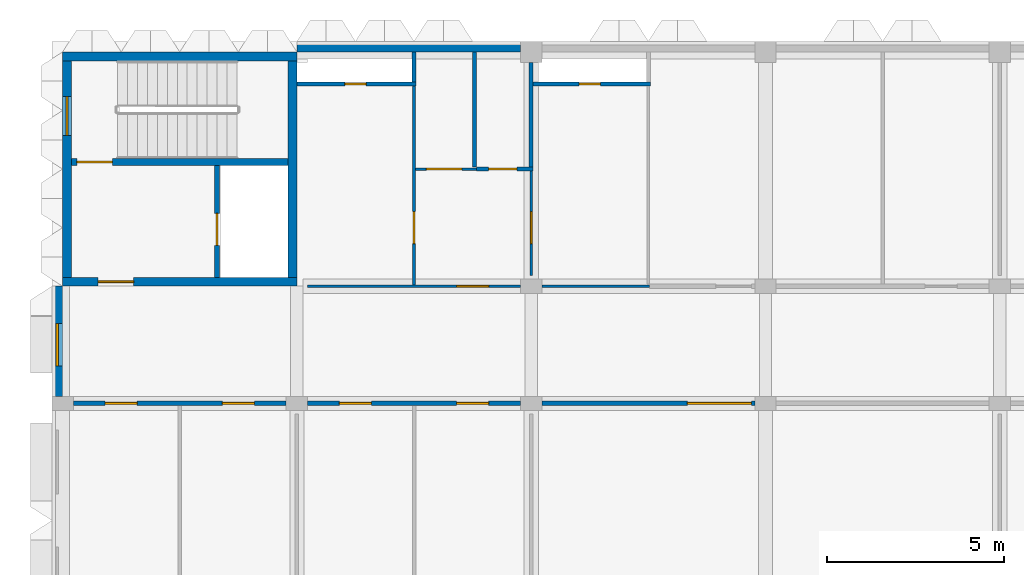
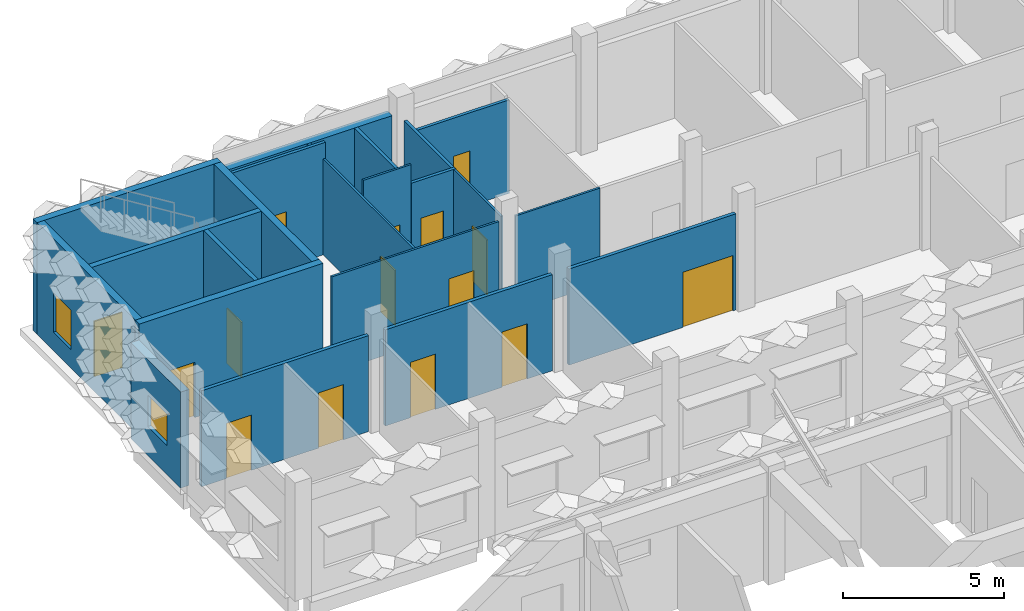
# One storey, part 51 of 102: 22 walls, 15 doors, 2 windows, 17 openings.
"""IFC4 building model written with IfcOpenShell, lengths in metres."""

from ifc_helpers import new_model, si_unit, direction, frame, frame_2d, origin, place, context, subcontext, project, spatial, rectangle, extrude, material, layer, layer_set, type_object, element, fill, save


model = new_model("IFC4")

# Units and contexts
model_context = context("Model", 3, precision=1e-05, world=origin(), true_north=direction((0.0, 1.0)))
body_context = subcontext(model_context, "Body", "Model", "MODEL_VIEW")
ifc_project = project(units=[si_unit("LENGTHUNIT", "METRE"), si_unit("AREAUNIT", "SQUARE_METRE"), si_unit("VOLUMEUNIT", "CUBIC_METRE"), si_unit("PLANEANGLEUNIT", "RADIAN"), si_unit("MASSUNIT", "GRAM", prefix="KILO")], contexts=[model_context])

# Site, building, storey
site_placement = place(None, origin())
site = spatial("IfcSite", under=ifc_project, at=site_placement, CompositionType="ELEMENT")
building_placement = place(site_placement, origin())
building = spatial("IfcBuilding", under=site, at=building_placement, Name="Lantern Court Research Institute", CompositionType="ELEMENT")
storey_placement = place(building_placement, frame((0.0, 0.0, 9.89990234375)))
storey = spatial("IfcBuildingStorey", under=building, at=storey_placement, Name="L02", CompositionType="ELEMENT", Elevation=9.89990234375)

# Wall, opening, window
ifc_material_1 = material(Name="Concrete C30/37", Category="concrete")
ifc_layer_1 = layer(ifc_material_1, 0.300048828125)
ifc_layer_set_1 = layer_set([ifc_layer_1], Name="Concrete C30/37")
wall_type_1 = type_object("IfcWallType", Name="Insulated concrete infill wall 300", PredefinedType="STANDARD", material=ifc_layer_set_1)
wall_1_placement = place(storey_placement, frame((-0.14990234375, 89.300048828125, 0.0), z_axis=(0.0, 0.0, 1.0), x_axis=(0.0, 1.0, 0.0)))
wall_1 = element("IfcWall", 1, at=wall_1_placement, inside=storey, type_object=wall_type_1, Name="Exterior wall EW167", PredefinedType="STANDARD", context=body_context, shape_type="SweptSolid", body=[
    extrude(rectangle(XDim=3.099853515625, YDim=0.300048828125, at=frame_2d((1.5498046875, 0.0))), origin(), (0.0, 0.0, 1.0), 3.650146484375),
])
opening_1_placement = place(wall_1_placement, frame((0.85009765625, 0.0, 1.10009765625)))
opening_1 = element("IfcOpeningElement", 2, at=opening_1_placement, cuts=wall_1, Name="Opening W05", PredefinedType="OPENING", context=body_context, shape_type="SweptSolid", body=[
    extrude(rectangle(XDim=1.199951171875, YDim=1.199951171875, at=frame_2d((0.60009765625, 0.60009765625))), frame((0.0, 0.159912109375, 0.0), z_axis=(0.0, -1.0, 0.0), x_axis=(1.0, 0.0, 0.0)), (0.0, 0.0, 1.0), 0.320068359375),
])
ifc_material_2 = material(Name="Aluminium frame with laminated low-emissivity glazing", Category="aluminium")
window_type_1 = type_object("IfcWindowType", Name="Corridor end window 1200 x 1200", PartitioningType="SINGLE_PANEL", PredefinedType="WINDOW", material=ifc_material_2)
window_1_placement = place(opening_1_placement, origin())
window_1 = element("IfcWindow", 3, at=window_1_placement, inside=storey, type_object=window_type_1, Name="Window W05 V6W L02", OverallHeight=1.199951171875, OverallWidth=1.199951171875, PartitioningType="SINGLE_PANEL", PredefinedType="WINDOW", context=body_context, shape_type="SweptSolid", body=[
    extrude(rectangle(XDim=1.199951171875, YDim=1.199951171875, at=frame_2d((0.60009765625, 0.60009765625))), frame((0.0, 0.030029296875, 0.0), z_axis=(0.0, -1.0, 0.0), x_axis=(1.0, 0.0, 0.0)), (0.0, 0.0, 1.0), 0.06005859375),
])
fill(opening_1, window_1)

# Wall
ifc_material_3 = material(Name="Concrete C30/37", Category="concrete")
ifc_layer_2 = layer(ifc_material_3, 0.300048828125)
ifc_layer_set_2 = layer_set([ifc_layer_2], Name="Concrete C30/37")
wall_type_2 = type_object("IfcWallType", Name="Party wall 300 concrete EI 120", PredefinedType="STANDARD", material=ifc_layer_set_2)
wall_2_placement = place(storey_placement, frame((6.60009765625, 99.14990234375, 0.0), z_axis=(0.0, 0.0, 1.0), x_axis=(1.0, 0.0, 0.0)))
element("IfcWall", 4, at=wall_2_placement, inside=storey, type_object=wall_type_2, Name="Exterior wall EW146", PredefinedType="STANDARD", context=body_context, shape_type="SweptSolid", body=[
    extrude(rectangle(XDim=6.2998046875, YDim=0.300048828125, at=frame_2d((3.14990234375, 0.0))), origin(), (0.0, 0.0, 1.0), 3.650146484375),
])

# Wall, openings, doors
ifc_material_4 = material(Name="Gypsum board on metal studs")
ifc_layer_3 = layer(ifc_material_4, 0.125)
ifc_layer_set_3 = layer_set([ifc_layer_3], Name="Gypsum board on metal studs")
wall_type_3 = type_object("IfcWallType", Name="Protected corridor partition 125 mm EI 30", PredefinedType="PARTITIONING", material=ifc_layer_set_3)
wall_3_placement = place(storey_placement, frame((6.300048828125, 89.10009765625, 0.0), z_axis=(0.0, 0.0, 1.0), x_axis=(-1.0, 0.0, 0.0)))
wall_3 = element("IfcWall", 5, at=wall_3_placement, inside=storey, type_object=wall_type_3, Name="Wall V6-L02-001", PredefinedType="PARTITIONING", context=body_context, shape_type="SweptSolid", body=[
    extrude(rectangle(XDim=6.0, YDim=0.125, at=frame_2d((3.0, 0.0))), origin(), (0.0, 0.0, 1.0), 3.650146484375),
])
opening_2_placement = place(wall_3_placement, frame((4.199951171875, 0.0, 0.0)))
opening_2 = element("IfcOpeningElement", 6, at=opening_2_placement, cuts=wall_3, Name="Opening D6201", PredefinedType="OPENING", context=body_context, shape_type="SweptSolid", body=[
    extrude(rectangle(XDim=0.89990234375, YDim=2.10009765625, at=frame_2d((0.449951171875, 1.050048828125))), frame((0.0, 0.072509765625, 0.0), z_axis=(0.0, -1.0, 0.0), x_axis=(1.0, 0.0, 0.0)), (0.0, 0.0, 1.0), 0.14501953125),
])
opening_3_placement = place(wall_3_placement, frame((0.89990234375, 0.0, 0.0)))
opening_3 = element("IfcOpeningElement", 7, at=opening_3_placement, cuts=wall_3, Name="Opening D6202", PredefinedType="OPENING", context=body_context, shape_type="SweptSolid", body=[
    extrude(rectangle(XDim=0.89990234375, YDim=2.10009765625, at=frame_2d((0.449951171875, 1.050048828125))), frame((0.0, 0.072509765625, 0.0), z_axis=(0.0, -1.0, 0.0), x_axis=(1.0, 0.0, 0.0)), (0.0, 0.0, 1.0), 0.14501953125),
])
ifc_material_5 = material(Name="Timber veneered door leaf", Category="wood")
door_type_1 = type_object("IfcDoorType", Name="Door 900 x 2100 timber FD30S", OperationType="NOTDEFINED", PredefinedType="DOOR", material=ifc_material_5)
door_1_placement = place(opening_2_placement, origin())
door_1 = element("IfcDoor", 8, at=door_1_placement, inside=storey, type_object=door_type_1, Name="Door D6201", OperationType="SINGLE_SWING_RIGHT", OverallHeight=2.10009765625, OverallWidth=0.89990234375, PredefinedType="DOOR", context=body_context, shape_type="SweptSolid", body=[
    extrude(rectangle(XDim=0.89990234375, YDim=2.10009765625, at=frame_2d((0.449951171875, 1.050048828125))), frame((0.0, 0.02490234375, 0.0), z_axis=(0.0, -1.0, 0.0), x_axis=(1.0, 0.0, 0.0)), (0.0, 0.0, 1.0), 0.050048828125),
])
fill(opening_2, door_1)
door_2_placement = place(opening_3_placement, origin())
door_2 = element("IfcDoor", 9, at=door_2_placement, inside=storey, type_object=door_type_1, Name="Door D6202", OperationType="SINGLE_SWING_LEFT", OverallHeight=2.10009765625, OverallWidth=0.89990234375, PredefinedType="DOOR", context=body_context, shape_type="SweptSolid", body=[
    extrude(rectangle(XDim=0.89990234375, YDim=2.10009765625, at=frame_2d((0.449951171875, 1.050048828125))), frame((0.0, 0.02490234375, 0.0), z_axis=(0.0, -1.0, 0.0), x_axis=(1.0, 0.0, 0.0)), (0.0, 0.0, 1.0), 0.050048828125),
])
fill(opening_3, door_2)

wall_4_placement = place(storey_placement, frame((12.89990234375, 89.10009765625, 0.0), z_axis=(0.0, 0.0, 1.0), x_axis=(-1.0, 0.0, 0.0)))
wall_4 = element("IfcWall", 10, at=wall_4_placement, inside=storey, type_object=wall_type_3, Name="Wall V6-L02-002", PredefinedType="PARTITIONING", context=body_context, shape_type="SweptSolid", body=[
    extrude(rectangle(XDim=6.0, YDim=0.125, at=frame_2d((3.0, 0.0))), origin(), (0.0, 0.0, 1.0), 3.650146484375),
])
opening_4_placement = place(wall_4_placement, frame((4.199951171875, 0.0, 0.0)))
opening_4 = element("IfcOpeningElement", 11, at=opening_4_placement, cuts=wall_4, Name="Opening D6203", PredefinedType="OPENING", context=body_context, shape_type="SweptSolid", body=[
    extrude(rectangle(XDim=0.89990234375, YDim=2.10009765625, at=frame_2d((0.449951171875, 1.050048828125))), frame((0.0, 0.072509765625, 0.0), z_axis=(0.0, -1.0, 0.0), x_axis=(1.0, 0.0, 0.0)), (0.0, 0.0, 1.0), 0.14501953125),
])
opening_5_placement = place(wall_4_placement, frame((0.89990234375, 0.0, 0.0)))
opening_5 = element("IfcOpeningElement", 12, at=opening_5_placement, cuts=wall_4, Name="Opening D6204", PredefinedType="OPENING", context=body_context, shape_type="SweptSolid", body=[
    extrude(rectangle(XDim=0.89990234375, YDim=2.10009765625, at=frame_2d((0.449951171875, 1.050048828125))), frame((0.0, 0.072509765625, 0.0), z_axis=(0.0, -1.0, 0.0), x_axis=(1.0, 0.0, 0.0)), (0.0, 0.0, 1.0), 0.14501953125),
])
door_3_placement = place(opening_4_placement, origin())
door_3 = element("IfcDoor", 13, at=door_3_placement, inside=storey, type_object=door_type_1, Name="Door D6203", OperationType="SINGLE_SWING_RIGHT", OverallHeight=2.10009765625, OverallWidth=0.89990234375, PredefinedType="DOOR", context=body_context, shape_type="SweptSolid", body=[
    extrude(rectangle(XDim=0.89990234375, YDim=2.10009765625, at=frame_2d((0.449951171875, 1.050048828125))), frame((0.0, 0.02490234375, 0.0), z_axis=(0.0, -1.0, 0.0), x_axis=(1.0, 0.0, 0.0)), (0.0, 0.0, 1.0), 0.050048828125),
])
fill(opening_4, door_3)
door_4_placement = place(opening_5_placement, origin())
door_4 = element("IfcDoor", 14, at=door_4_placement, inside=storey, type_object=door_type_1, Name="Door D6204", OperationType="SINGLE_SWING_LEFT", OverallHeight=2.10009765625, OverallWidth=0.89990234375, PredefinedType="DOOR", context=body_context, shape_type="SweptSolid", body=[
    extrude(rectangle(XDim=0.89990234375, YDim=2.10009765625, at=frame_2d((0.449951171875, 1.050048828125))), frame((0.0, 0.02490234375, 0.0), z_axis=(0.0, -1.0, 0.0), x_axis=(1.0, 0.0, 0.0)), (0.0, 0.0, 1.0), 0.050048828125),
])
fill(opening_5, door_4)

# Wall, opening, door
wall_5_placement = place(storey_placement, frame((13.5, 89.10009765625, 0.0), z_axis=(0.0, 0.0, 1.0), x_axis=(1.0, 0.0, 0.0)))
wall_5 = element("IfcWall", 15, at=wall_5_placement, inside=storey, type_object=wall_type_3, Name="Wall V6-L02-003", PredefinedType="PARTITIONING", context=body_context, shape_type="SweptSolid", body=[
    extrude(rectangle(XDim=6.0, YDim=0.125, at=frame_2d((3.0, 0.0))), origin(), (0.0, 0.0, 1.0), 3.650146484375),
])
opening_6_placement = place(wall_5_placement, frame((4.10009765625, 0.0, 0.0)))
opening_6 = element("IfcOpeningElement", 16, at=opening_6_placement, cuts=wall_5, Name="Opening D6205", PredefinedType="OPENING", context=body_context, shape_type="SweptSolid", body=[
    extrude(rectangle(XDim=1.800048828125, YDim=2.10009765625, at=frame_2d((0.89990234375, 1.050048828125))), frame((0.0, 0.072509765625, 0.0), z_axis=(0.0, -1.0, 0.0), x_axis=(1.0, 0.0, 0.0)), (0.0, 0.0, 1.0), 0.14501953125),
])
ifc_material_6 = material(Name="Timber veneered door leaf", Category="wood")
door_type_2 = type_object("IfcDoorType", Name="Door 1800 x 2100 reception pair FD30S", OperationType="DOUBLE_DOOR_SINGLE_SWING", PredefinedType="DOOR", material=ifc_material_6)
door_5_placement = place(opening_6_placement, origin())
door_5 = element("IfcDoor", 17, at=door_5_placement, inside=storey, type_object=door_type_2, Name="Door D6205", OperationType="DOUBLE_DOOR_SINGLE_SWING", OverallHeight=2.10009765625, OverallWidth=1.800048828125, PredefinedType="DOOR", context=body_context, shape_type="SweptSolid", body=[
    extrude(rectangle(XDim=1.800048828125, YDim=2.10009765625, at=frame_2d((0.89990234375, 1.050048828125))), frame((0.0, 0.02490234375, 0.0), z_axis=(0.0, -1.0, 0.0), x_axis=(1.0, 0.0, 0.0)), (0.0, 0.0, 1.0), 0.050048828125),
])
fill(opening_6, door_5)

ifc_material_7 = material(Name="Concrete C40/50", Category="concrete")
ifc_layer_4 = layer(ifc_material_7, 0.25)
ifc_layer_set_4 = layer_set([ifc_layer_4], Name="Concrete C40/50")
wall_type_4 = type_object("IfcWallType", Name="RC core wall 250", PredefinedType="SHEAR", material=ifc_layer_set_4)
wall_6_placement = place(storey_placement, frame((0.0, 92.52490234375, 0.0), z_axis=(0.0, 0.0, 1.0), x_axis=(1.0, 0.0, 0.0)))
wall_6 = element("IfcWall", 18, at=wall_6_placement, inside=storey, type_object=wall_type_4, Name="South wall of core WC-W", PredefinedType="SHEAR", context=body_context, shape_type="SweptSolid", body=[
    extrude(rectangle(XDim=6.60009765625, YDim=0.25, at=frame_2d((3.300048828125, 0.0))), origin(), (0.0, 0.0, 1.0), 4.25),
])
opening_7_placement = place(wall_6_placement, frame((1.0, 0.0, 0.0)))
opening_7 = element("IfcOpeningElement", 19, at=opening_7_placement, cuts=wall_6, Name="Opening D7208", PredefinedType="OPENING", context=body_context, shape_type="SweptSolid", body=[
    extrude(rectangle(XDim=1.0, YDim=2.10009765625, at=frame_2d((0.5, 1.050048828125))), frame((0.0, 0.135009765625, 0.0), z_axis=(0.0, -1.0, 0.0), x_axis=(1.0, 0.0, 0.0)), (0.0, 0.0, 1.0), 0.27001953125),
])
ifc_material_8 = material(Name="Steel fire door leaf with smoke seals", Category="steel")
door_type_3 = type_object("IfcDoorType", Name="Door 1000 x 2100 fire rated FD60S", OperationType="NOTDEFINED", PredefinedType="DOOR", material=ifc_material_8)
door_6_placement = place(opening_7_placement, origin())
door_6 = element("IfcDoor", 20, at=door_6_placement, inside=storey, type_object=door_type_3, Name="Lobby door", OperationType="SINGLE_SWING_RIGHT", OverallHeight=2.10009765625, OverallWidth=1.0, PredefinedType="DOOR", context=body_context, shape_type="SweptSolid", body=[
    extrude(rectangle(XDim=1.0, YDim=2.10009765625, at=frame_2d((0.5, 1.050048828125))), frame((0.0, 0.02490234375, 0.0), z_axis=(0.0, -1.0, 0.0), x_axis=(1.0, 0.0, 0.0)), (0.0, 0.0, 1.0), 0.050048828125),
])
fill(opening_7, door_6)

# Walls
wall_7_placement = place(storey_placement, frame((6.47509765625, 92.64990234375, 0.0), z_axis=(0.0, 0.0, 1.0), x_axis=(0.0, 1.0, 0.0)))
element("IfcWall", 21, at=wall_7_placement, inside=storey, type_object=wall_type_4, Name="East wall of core WC-W", PredefinedType="SHEAR", context=body_context, shape_type="SweptSolid", body=[
    extrude(rectangle(XDim=6.10009765625, YDim=0.25, at=frame_2d((3.050048828125, 0.0))), origin(), (0.0, 0.0, 1.0), 4.25),
])
ifc_material_9 = material(Name="Concrete C40/50", Category="concrete")
ifc_layer_5 = layer(ifc_material_9, 0.25)
ifc_layer_set_5 = layer_set([ifc_layer_5], Name="Concrete C40/50")
wall_type_5 = type_object("IfcWallType", Name="RC core wall 250 facade", PredefinedType="SHEAR", material=ifc_layer_set_5)
wall_8_placement = place(storey_placement, frame((0.0, 98.875, 0.0), z_axis=(0.0, 0.0, 1.0), x_axis=(1.0, 0.0, 0.0)))
element("IfcWall", 22, at=wall_8_placement, inside=storey, type_object=wall_type_5, Name="North wall of core WC-W", PredefinedType="SHEAR", context=body_context, shape_type="SweptSolid", body=[
    extrude(rectangle(XDim=6.60009765625, YDim=0.25, at=frame_2d((3.300048828125, 0.0))), origin(), (0.0, 0.0, 1.0), 4.25),
])

# Wall, opening, window
wall_9_placement = place(storey_placement, frame((0.125, 92.64990234375, 0.0), z_axis=(0.0, 0.0, 1.0), x_axis=(0.0, 1.0, 0.0)))
wall_9 = element("IfcWall", 23, at=wall_9_placement, inside=storey, type_object=wall_type_5, Name="West wall of core WC-W", PredefinedType="SHEAR", context=body_context, shape_type="SweptSolid", body=[
    extrude(rectangle(XDim=6.10009765625, YDim=0.25, at=frame_2d((3.050048828125, 0.0))), origin(), (0.0, 0.0, 1.0), 4.25),
])
opening_8_placement = place(wall_9_placement, frame((4.0, 0.0, 0.699951171875)))
opening_8 = element("IfcOpeningElement", 24, at=opening_8_placement, cuts=wall_9, Name="Opening W5", PredefinedType="OPENING", context=body_context, shape_type="SweptSolid", body=[
    extrude(rectangle(XDim=1.10009765625, YDim=1.5, at=frame_2d((0.550048828125, 0.75))), frame((0.0, 0.135009765625, 0.0), z_axis=(0.0, -1.0, 0.0), x_axis=(1.0, 0.0, 0.0)), (0.0, 0.0, 1.0), 0.27001953125),
])
ifc_material_10 = material(Name="Aluminium alloy 6063-T6 frame with laminated glass", Category="aluminium")
window_type_2 = type_object("IfcWindowType", Name="Stair window 1100 x 1500", PartitioningType="SINGLE_PANEL", PredefinedType="WINDOW", material=ifc_material_10)
window_2_placement = place(opening_8_placement, origin())
window_2 = element("IfcWindow", 25, at=window_2_placement, inside=storey, type_object=window_type_2, Name="Stair window", OverallHeight=1.5, OverallWidth=1.10009765625, PartitioningType="SINGLE_PANEL", PredefinedType="WINDOW", context=body_context, shape_type="SweptSolid", body=[
    extrude(rectangle(XDim=1.10009765625, YDim=1.5, at=frame_2d((0.550048828125, 0.75))), frame((0.0, 0.030029296875, 0.0), z_axis=(0.0, -1.0, 0.0), x_axis=(1.0, 0.0, 0.0)), (0.0, 0.0, 1.0), 0.06005859375),
])
fill(opening_8, window_2)

# Wall, opening, door
ifc_material_11 = material(Name="Concrete C40/50", Category="concrete")
ifc_layer_6 = layer(ifc_material_11, 0.14990234375)
ifc_layer_set_6 = layer_set([ifc_layer_6], Name="Concrete C40/50")
wall_type_6 = type_object("IfcWallType", Name="RC shaft wall 150", PredefinedType="SHEAR", material=ifc_layer_set_6)
wall_10_placement = place(storey_placement, frame((4.35009765625, 92.64990234375, 0.0), z_axis=(0.0, 0.0, 1.0), x_axis=(0.0, 1.0, 0.0)))
wall_10 = element("IfcWall", 26, at=wall_10_placement, inside=storey, type_object=wall_type_6, Name="Riser wall of core WC-W", PredefinedType="SHEAR", context=body_context, shape_type="SweptSolid", body=[
    extrude(rectangle(XDim=3.150146484375, YDim=0.14990234375, at=frame_2d((1.5751953125, 0.0))), origin(), (0.0, 0.0, 1.0), 4.25),
])
opening_9_placement = place(wall_10_placement, frame((0.89990234375, 0.0, 0.0)))
opening_9 = element("IfcOpeningElement", 27, at=opening_9_placement, cuts=wall_10, Name="Opening D7207", PredefinedType="OPENING", context=body_context, shape_type="SweptSolid", body=[
    extrude(rectangle(XDim=0.89990234375, YDim=2.10009765625, at=frame_2d((0.449951171875, 1.050048828125))), frame((0.0, 0.0849609375, 0.0), z_axis=(0.0, -1.0, 0.0), x_axis=(1.0, 0.0, 0.0)), (0.0, 0.0, 1.0), 0.169921875),
])
ifc_material_12 = material(Name="Steel fire door leaf", Category="steel")
door_type_4 = type_object("IfcDoorType", Name="Door 900 x 2100 fire rated FD60", OperationType="NOTDEFINED", PredefinedType="DOOR", material=ifc_material_12)
door_7_placement = place(opening_9_placement, origin())
door_7 = element("IfcDoor", 28, at=door_7_placement, inside=storey, type_object=door_type_4, Name="Riser door", OperationType="SINGLE_SWING_RIGHT", OverallHeight=2.10009765625, OverallWidth=0.89990234375, PredefinedType="DOOR", context=body_context, shape_type="SweptSolid", body=[
    extrude(rectangle(XDim=0.89990234375, YDim=2.10009765625, at=frame_2d((0.449951171875, 1.050048828125))), frame((0.0, 0.02490234375, 0.0), z_axis=(0.0, -1.0, 0.0), x_axis=(1.0, 0.0, 0.0)), (0.0, 0.0, 1.0), 0.050048828125),
])
fill(opening_9, door_7)

ifc_material_13 = material(Name="Concrete C40/50", Category="concrete")
ifc_layer_7 = layer(ifc_material_13, 0.199951171875)
ifc_layer_set_7 = layer_set([ifc_layer_7], Name="Concrete C40/50")
wall_type_7 = type_object("IfcWallType", Name="RC shaft wall 200", PredefinedType="SHEAR", material=ifc_layer_set_7)
wall_11_placement = place(storey_placement, frame((0.25, 95.89990234375, 0.0), z_axis=(0.0, 0.0, 1.0), x_axis=(1.0, 0.0, 0.0)))
wall_11 = element("IfcWall", 29, at=wall_11_placement, inside=storey, type_object=wall_type_7, Name="Stair wall of core WC-W", PredefinedType="SHEAR", context=body_context, shape_type="SweptSolid", body=[
    extrude(rectangle(XDim=6.10009765625, YDim=0.199951171875, at=frame_2d((3.050048828125, 0.0))), origin(), (0.0, 0.0, 1.0), 4.25),
])
opening_10_placement = place(wall_11_placement, frame((0.14990234375, 0.0, 0.0)))
opening_10 = element("IfcOpeningElement", 30, at=opening_10_placement, cuts=wall_11, Name="Opening D7209", PredefinedType="OPENING", context=body_context, shape_type="SweptSolid", body=[
    extrude(rectangle(XDim=1.0, YDim=2.10009765625, at=frame_2d((0.5, 1.050048828125))), frame((0.0, 0.10986328125, 0.0), z_axis=(0.0, -1.0, 0.0), x_axis=(1.0, 0.0, 0.0)), (0.0, 0.0, 1.0), 0.219970703125),
])
door_8_placement = place(opening_10_placement, origin())
door_8 = element("IfcDoor", 31, at=door_8_placement, inside=storey, type_object=door_type_3, Name="Stair door", OperationType="SINGLE_SWING_RIGHT", OverallHeight=2.10009765625, OverallWidth=1.0, PredefinedType="DOOR", context=body_context, shape_type="SweptSolid", body=[
    extrude(rectangle(XDim=1.0, YDim=2.10009765625, at=frame_2d((0.5, 1.050048828125))), frame((0.0, 0.02490234375, 0.0), z_axis=(0.0, -1.0, 0.0), x_axis=(1.0, 0.0, 0.0)), (0.0, 0.0, 1.0), 0.050048828125),
])
fill(opening_10, door_8)

ifc_material_14 = material(Name="Fire-rated gypsum board on metal studs")
ifc_layer_8 = layer(ifc_material_14, 0.110107421875)
ifc_layer_set_8 = layer_set([ifc_layer_8], Name="Fire-rated gypsum board on metal studs")
wall_type_8 = type_object("IfcWallType", Name="Riser wall 110 mm EI 60", PredefinedType="PARTITIONING", material=ifc_layer_set_8)
wall_12_placement = place(storey_placement, frame((11.655029296875, 95.699951171875, 0.0), z_axis=(0.0, 0.0, 1.0), x_axis=(1.0, 0.0, 0.0)))
wall_12 = element("IfcWall", 32, at=wall_12_placement, inside=storey, type_object=wall_type_8, Name="Wall V6-L02-024", PredefinedType="PARTITIONING", context=body_context, shape_type="SweptSolid", body=[
    extrude(rectangle(XDim=1.599853515625, YDim=0.110107421875, at=frame_2d((0.7998046875, 0.0))), origin(), (0.0, 0.0, 1.0), 3.550048828125),
])
opening_11_placement = place(wall_12_placement, frame((0.344970703125, 0.0, 0.0)))
opening_11 = element("IfcOpeningElement", 33, at=opening_11_placement, cuts=wall_12, Name="Opening D6227", PredefinedType="OPENING", context=body_context, shape_type="SweptSolid", body=[
    extrude(rectangle(XDim=0.800048828125, YDim=2.10009765625, at=frame_2d((0.39990234375, 1.050048828125))), frame((0.0, 0.06494140625, 0.0), z_axis=(0.0, -1.0, 0.0), x_axis=(1.0, 0.0, 0.0)), (0.0, 0.0, 1.0), 0.130126953125),
])
ifc_material_15 = material(Name="Coated metal door leaf")
door_type_5 = type_object("IfcDoorType", Name="Door 800 x 2100 cleaners store FD60", OperationType="NOTDEFINED", PredefinedType="DOOR", material=ifc_material_15)
door_9_placement = place(opening_11_placement, origin())
door_9 = element("IfcDoor", 34, at=door_9_placement, inside=storey, type_object=door_type_5, Name="Door D6227", OperationType="SINGLE_SWING_RIGHT", OverallHeight=2.10009765625, OverallWidth=0.800048828125, PredefinedType="DOOR", context=body_context, shape_type="SweptSolid", body=[
    extrude(rectangle(XDim=0.800048828125, YDim=2.10009765625, at=frame_2d((0.39990234375, 1.050048828125))), frame((0.0, 0.02490234375, 0.0), z_axis=(0.0, -1.0, 0.0), x_axis=(1.0, 0.0, 0.0)), (0.0, 0.0, 1.0), 0.050048828125),
])
fill(opening_11, door_9)

wall_13_placement = place(storey_placement, frame((9.955078125, 98.10009765625, 0.0), z_axis=(0.0, 0.0, 1.0), x_axis=(-1.0, 0.0, 0.0)))
wall_13 = element("IfcWall", 35, at=wall_13_placement, inside=storey, type_object=wall_type_8, Name="Wall V6-L02-027", PredefinedType="PARTITIONING", context=body_context, shape_type="SweptSolid", body=[
    extrude(rectangle(XDim=3.35498046875, YDim=0.110107421875, at=frame_2d((1.677490234375, 0.0))), origin(), (0.0, 0.0, 1.0), 4.25),
])
opening_12_placement = place(wall_13_placement, frame((1.405029296875, 0.0, 0.0)))
opening_12 = element("IfcOpeningElement", 36, at=opening_12_placement, cuts=wall_13, Name="Opening D6230", PredefinedType="OPENING", context=body_context, shape_type="SweptSolid", body=[
    extrude(rectangle(XDim=0.60009765625, YDim=2.10009765625, at=frame_2d((0.300048828125, 1.050048828125))), frame((0.0, 0.06494140625, 0.0), z_axis=(0.0, -1.0, 0.0), x_axis=(1.0, 0.0, 0.0)), (0.0, 0.0, 1.0), 0.130126953125),
])
ifc_material_16 = material(Name="Coated metal door leaf")
door_type_6 = type_object("IfcDoorType", Name="Door 600 x 2100 riser FD60", OperationType="NOTDEFINED", PredefinedType="DOOR", material=ifc_material_16)
door_10_placement = place(opening_12_placement, origin())
door_10 = element("IfcDoor", 37, at=door_10_placement, inside=storey, type_object=door_type_6, Name="Door D6230", OperationType="SINGLE_SWING_RIGHT", OverallHeight=2.10009765625, OverallWidth=0.60009765625, PredefinedType="DOOR", context=body_context, shape_type="SweptSolid", body=[
    extrude(rectangle(XDim=0.60009765625, YDim=2.10009765625, at=frame_2d((0.300048828125, 1.050048828125))), frame((0.0, 0.02490234375, 0.0), z_axis=(0.0, -1.0, 0.0), x_axis=(1.0, 0.0, 0.0)), (0.0, 0.0, 1.0), 0.050048828125),
])
fill(opening_12, door_10)

wall_14_placement = place(storey_placement, frame((16.554931640625, 98.10009765625, 0.0), z_axis=(0.0, 0.0, 1.0), x_axis=(-1.0, 0.0, 0.0)))
wall_14 = element("IfcWall", 38, at=wall_14_placement, inside=storey, type_object=wall_type_8, Name="Wall V6-L02-028", PredefinedType="PARTITIONING", context=body_context, shape_type="SweptSolid", body=[
    extrude(rectangle(XDim=3.300048828125, YDim=0.110107421875, at=frame_2d((1.64990234375, 0.0))), origin(), (0.0, 0.0, 1.0), 3.550048828125),
])
opening_13_placement = place(wall_14_placement, frame((1.405029296875, 0.0, 0.0)))
opening_13 = element("IfcOpeningElement", 39, at=opening_13_placement, cuts=wall_14, Name="Opening D6231", PredefinedType="OPENING", context=body_context, shape_type="SweptSolid", body=[
    extrude(rectangle(XDim=0.60009765625, YDim=2.10009765625, at=frame_2d((0.300048828125, 1.050048828125))), frame((0.0, 0.06494140625, 0.0), z_axis=(0.0, -1.0, 0.0), x_axis=(1.0, 0.0, 0.0)), (0.0, 0.0, 1.0), 0.130126953125),
])
door_11_placement = place(opening_13_placement, origin())
door_11 = element("IfcDoor", 40, at=door_11_placement, inside=storey, type_object=door_type_6, Name="Door D6231", OperationType="SINGLE_SWING_RIGHT", OverallHeight=2.10009765625, OverallWidth=0.60009765625, PredefinedType="DOOR", context=body_context, shape_type="SweptSolid", body=[
    extrude(rectangle(XDim=0.60009765625, YDim=2.10009765625, at=frame_2d((0.300048828125, 1.050048828125))), frame((0.0, 0.02490234375, 0.0), z_axis=(0.0, -1.0, 0.0), x_axis=(1.0, 0.0, 0.0)), (0.0, 0.0, 1.0), 0.050048828125),
])
fill(opening_13, door_11)

# Walls
wall_15_placement = place(storey_placement, frame((9.89990234375, 98.155029296875, 0.0), z_axis=(0.0, 0.0, 1.0), x_axis=(0.0, 1.0, 0.0)))
element("IfcWall", 41, at=wall_15_placement, inside=storey, type_object=wall_type_8, Name="Wall V6-L02-035", PredefinedType="PARTITIONING", context=body_context, shape_type="SweptSolid", body=[
    extrude(rectangle(XDim=0.844970703125, YDim=0.110107421875, at=frame_2d((0.42236328125, 0.0))), origin(), (0.0, 0.0, 1.0), 3.650146484375),
])
wall_16_placement = place(storey_placement, frame((11.60009765625, 95.7548828125, 0.0), z_axis=(0.0, 0.0, 1.0), x_axis=(0.0, 1.0, 0.0)))
element("IfcWall", 42, at=wall_16_placement, inside=storey, type_object=wall_type_8, Name="Wall V6-L02-036", PredefinedType="PARTITIONING", context=body_context, shape_type="SweptSolid", body=[
    extrude(rectangle(XDim=3.2451171875, YDim=0.110107421875, at=frame_2d((1.62255859375, 0.0))), origin(), (0.0, 0.0, 1.0), 3.650146484375),
])
wall_17_placement = place(storey_placement, frame((13.199951171875, 95.7548828125, 0.0), z_axis=(0.0, 0.0, 1.0), x_axis=(0.0, 1.0, 0.0)))
element("IfcWall", 43, at=wall_17_placement, inside=storey, type_object=wall_type_8, Name="Wall V6-L02-039", PredefinedType="PARTITIONING", context=body_context, shape_type="SweptSolid", body=[
    extrude(rectangle(XDim=2.945068359375, YDim=0.110107421875, at=frame_2d((1.47265625, 0.0))), origin(), (0.0, 0.0, 1.0), 3.550048828125),
])

# Wall, opening, door
ifc_material_17 = material(Name="Gypsum board on metal studs")
ifc_layer_9 = layer(ifc_material_17, 0.074951171875)
ifc_layer_set_9 = layer_set([ifc_layer_9], Name="Gypsum board on metal studs")
wall_type_9 = type_object("IfcWallType", Name="Service partition 75 mm", PredefinedType="PARTITIONING", material=ifc_layer_set_9)
wall_18_placement = place(storey_placement, frame((11.655029296875, 95.699951171875, 0.0), z_axis=(0.0, 0.0, 1.0), x_axis=(-1.0, 0.0, 0.0)))
wall_18 = element("IfcWall", 44, at=wall_18_placement, inside=storey, type_object=wall_type_9, Name="Wall V6-L02-023", PredefinedType="PARTITIONING", context=body_context, shape_type="SweptSolid", body=[
    extrude(rectangle(XDim=1.717041015625, YDim=0.074951171875, at=frame_2d((0.8583984375, 0.0))), origin(), (0.0, 0.0, 1.0), 4.25),
])
opening_14_placement = place(wall_18_placement, frame((0.405029296875, 0.0, 0.0)))
opening_14 = element("IfcOpeningElement", 45, at=opening_14_placement, cuts=wall_18, Name="Opening D6226", PredefinedType="OPENING", context=body_context, shape_type="SweptSolid", body=[
    extrude(rectangle(XDim=1.0, YDim=2.10009765625, at=frame_2d((0.5, 1.050048828125))), frame((0.0, 0.04736328125, 0.0), z_axis=(0.0, -1.0, 0.0), x_axis=(1.0, 0.0, 0.0)), (0.0, 0.0, 1.0), 0.094970703125),
])
ifc_material_18 = material(Name="Timber veneered door leaf", Category="wood")
door_type_7 = type_object("IfcDoorType", Name="Door 1000 x 2100 accessible WC", OperationType="NOTDEFINED", PredefinedType="DOOR", material=ifc_material_18)
door_12_placement = place(opening_14_placement, origin())
door_12 = element("IfcDoor", 46, at=door_12_placement, inside=storey, type_object=door_type_7, Name="Door D6226", OperationType="SINGLE_SWING_RIGHT", OverallHeight=2.10009765625, OverallWidth=1.0, PredefinedType="DOOR", context=body_context, shape_type="SweptSolid", body=[
    extrude(rectangle(XDim=1.0, YDim=2.10009765625, at=frame_2d((0.5, 1.050048828125))), frame((0.0, 0.02490234375, 0.0), z_axis=(0.0, -1.0, 0.0), x_axis=(1.0, 0.0, 0.0)), (0.0, 0.0, 1.0), 0.050048828125),
])
fill(opening_14, door_12)

wall_19_placement = place(storey_placement, frame((9.89990234375, 92.43798828125, 0.0), z_axis=(0.0, 0.0, 1.0), x_axis=(0.0, 1.0, 0.0)))
wall_19 = element("IfcWall", 47, at=wall_19_placement, inside=storey, type_object=wall_type_9, Name="Wall V6-L02-034", PredefinedType="PARTITIONING", context=body_context, shape_type="SweptSolid", body=[
    extrude(rectangle(XDim=5.60693359375, YDim=0.074951171875, at=frame_2d((2.803466796875, 0.0))), origin(), (0.0, 0.0, 1.0), 3.650146484375),
])
opening_15_placement = place(wall_19_placement, frame((1.162109375, 0.0, 0.0)))
opening_15 = element("IfcOpeningElement", 48, at=opening_15_placement, cuts=wall_19, Name="Opening D6234", PredefinedType="OPENING", context=body_context, shape_type="SweptSolid", body=[
    extrude(rectangle(XDim=0.89990234375, YDim=2.10009765625, at=frame_2d((0.449951171875, 1.050048828125))), frame((0.0, 0.04736328125, 0.0), z_axis=(0.0, -1.0, 0.0), x_axis=(1.0, 0.0, 0.0)), (0.0, 0.0, 1.0), 0.094970703125),
])
ifc_material_19 = material(Name="Timber veneered door leaf", Category="wood")
door_type_8 = type_object("IfcDoorType", Name="Door 900 x 2100 WC", OperationType="NOTDEFINED", PredefinedType="DOOR", material=ifc_material_19)
door_13_placement = place(opening_15_placement, origin())
door_13 = element("IfcDoor", 49, at=door_13_placement, inside=storey, type_object=door_type_8, Name="Door D6234", OperationType="SINGLE_SWING_LEFT", OverallHeight=2.10009765625, OverallWidth=0.89990234375, PredefinedType="DOOR", context=body_context, shape_type="SweptSolid", body=[
    extrude(rectangle(XDim=0.89990234375, YDim=2.10009765625, at=frame_2d((0.449951171875, 1.050048828125))), frame((0.0, 0.02490234375, 0.0), z_axis=(0.0, -1.0, 0.0), x_axis=(1.0, 0.0, 0.0)), (0.0, 0.0, 1.0), 0.050048828125),
])
fill(opening_15, door_13)

wall_20_placement = place(storey_placement, frame((13.199951171875, 95.64501953125, 0.0), z_axis=(0.0, 0.0, 1.0), x_axis=(0.0, -1.0, 0.0)))
wall_20 = element("IfcWall", 50, at=wall_20_placement, inside=storey, type_object=wall_type_9, Name="Wall V6-L02-038", PredefinedType="PARTITIONING", context=body_context, shape_type="SweptSolid", body=[
    extrude(rectangle(XDim=2.945068359375, YDim=0.074951171875, at=frame_2d((1.47265625, 0.0))), origin(), (0.0, 0.0, 1.0), 3.550048828125),
])
opening_16_placement = place(wall_20_placement, frame((1.14501953125, 0.0, 0.0)))
opening_16 = element("IfcOpeningElement", 51, at=opening_16_placement, cuts=wall_20, Name="Opening D6235", PredefinedType="OPENING", context=body_context, shape_type="SweptSolid", body=[
    extrude(rectangle(XDim=0.89990234375, YDim=2.10009765625, at=frame_2d((0.449951171875, 1.050048828125))), frame((0.0, 0.04736328125, 0.0), z_axis=(0.0, -1.0, 0.0), x_axis=(1.0, 0.0, 0.0)), (0.0, 0.0, 1.0), 0.094970703125),
])
door_14_placement = place(opening_16_placement, origin())
door_14 = element("IfcDoor", 52, at=door_14_placement, inside=storey, type_object=door_type_8, Name="Door D6235", OperationType="SINGLE_SWING_RIGHT", OverallHeight=2.10009765625, OverallWidth=0.89990234375, PredefinedType="DOOR", context=body_context, shape_type="SweptSolid", body=[
    extrude(rectangle(XDim=0.89990234375, YDim=2.10009765625, at=frame_2d((0.449951171875, 1.050048828125))), frame((0.0, 0.02490234375, 0.0), z_axis=(0.0, -1.0, 0.0), x_axis=(1.0, 0.0, 0.0)), (0.0, 0.0, 1.0), 0.050048828125),
])
fill(opening_16, door_14)

ifc_material_20 = material(Name="Gypsum board on metal studs")
ifc_layer_10 = layer(ifc_material_20, 0.074951171875)
ifc_layer_set_10 = layer_set([ifc_layer_10], Name="Gypsum board on metal studs")
wall_type_10 = type_object("IfcWallType", Name="Service partition 75 mm EI 30", PredefinedType="PARTITIONING", material=ifc_layer_set_10)
wall_21_placement = place(storey_placement, frame((6.89990234375, 92.39990234375, 0.0), z_axis=(0.0, 0.0, 1.0), x_axis=(1.0, 0.0, 0.0)))
wall_21 = element("IfcWall", 53, at=wall_21_placement, inside=storey, type_object=wall_type_10, Name="Wall V6-L02-011", PredefinedType="PARTITIONING", context=body_context, shape_type="SweptSolid", body=[
    extrude(rectangle(XDim=6.0, YDim=0.074951171875, at=frame_2d((3.0, 0.0))), origin(), (0.0, 0.0, 1.0), 3.650146484375),
])
opening_17_placement = place(wall_21_placement, frame((4.199951171875, 0.0, 0.0)))
opening_17 = element("IfcOpeningElement", 54, at=opening_17_placement, cuts=wall_21, Name="Opening D6214", PredefinedType="OPENING", context=body_context, shape_type="SweptSolid", body=[
    extrude(rectangle(XDim=0.89990234375, YDim=2.10009765625, at=frame_2d((0.449951171875, 1.050048828125))), frame((0.0, 0.04736328125, 0.0), z_axis=(0.0, -1.0, 0.0), x_axis=(1.0, 0.0, 0.0)), (0.0, 0.0, 1.0), 0.094970703125),
])
ifc_material_21 = material(Name="Timber veneered door leaf", Category="wood")
door_type_9 = type_object("IfcDoorType", Name="Door 900 x 2100 WC FD30S", OperationType="NOTDEFINED", PredefinedType="DOOR", material=ifc_material_21)
door_15_placement = place(opening_17_placement, origin())
door_15 = element("IfcDoor", 55, at=door_15_placement, inside=storey, type_object=door_type_9, Name="Door D6214", OperationType="SINGLE_SWING_RIGHT", OverallHeight=2.10009765625, OverallWidth=0.89990234375, PredefinedType="DOOR", context=body_context, shape_type="SweptSolid", body=[
    extrude(rectangle(XDim=0.89990234375, YDim=2.10009765625, at=frame_2d((0.449951171875, 1.050048828125))), frame((0.0, 0.02490234375, 0.0), z_axis=(0.0, -1.0, 0.0), x_axis=(1.0, 0.0, 0.0)), (0.0, 0.0, 1.0), 0.050048828125),
])
fill(opening_17, door_15)

# Wall
wall_22_placement = place(storey_placement, frame((13.5, 92.39990234375, 0.0), z_axis=(0.0, 0.0, 1.0), x_axis=(1.0, 0.0, 0.0)))
element("IfcWall", 56, at=wall_22_placement, inside=storey, type_object=wall_type_10, Name="Wall V6-L02-012", PredefinedType="PARTITIONING", context=body_context, shape_type="SweptSolid", body=[
    extrude(rectangle(XDim=3.0380859375, YDim=0.074951171875, at=frame_2d((1.51904296875, 0.0))), origin(), (0.0, 0.0, 1.0), 3.650146484375),
])

save(model, "model.ifc")
